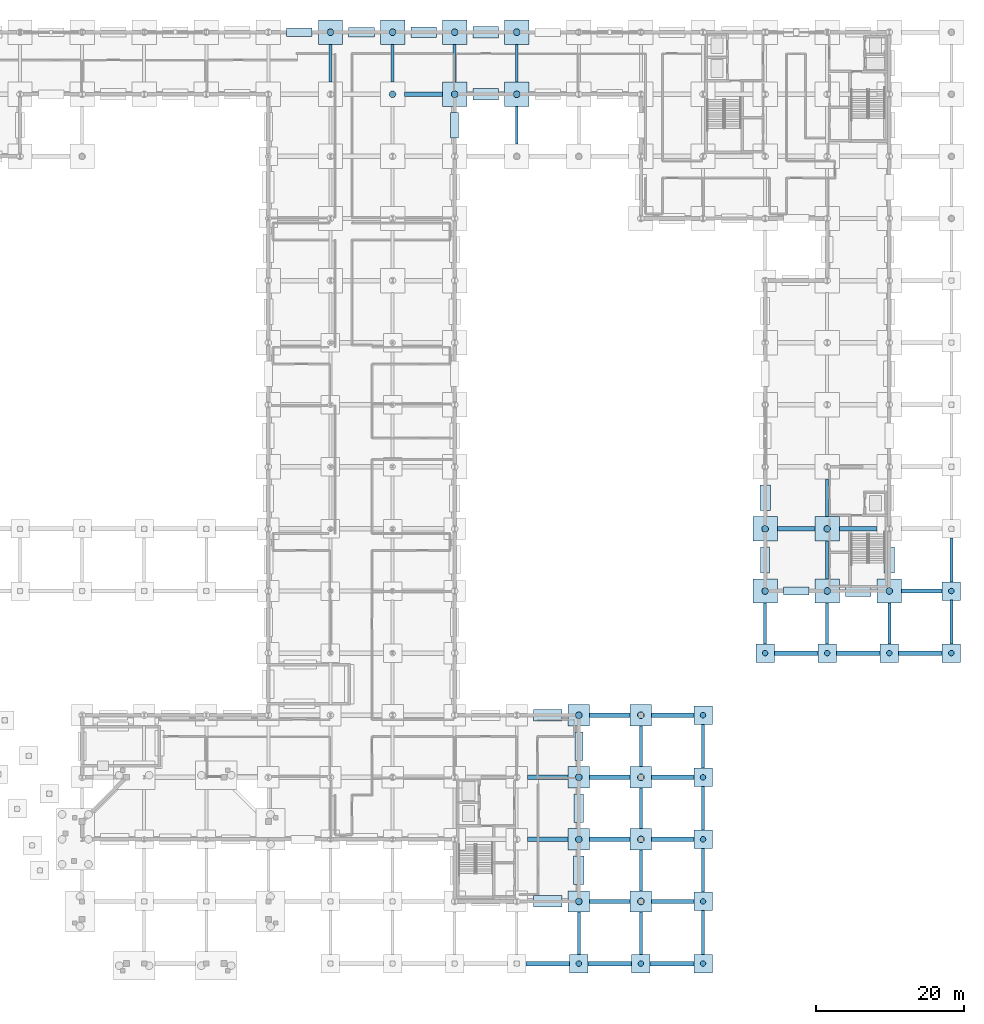
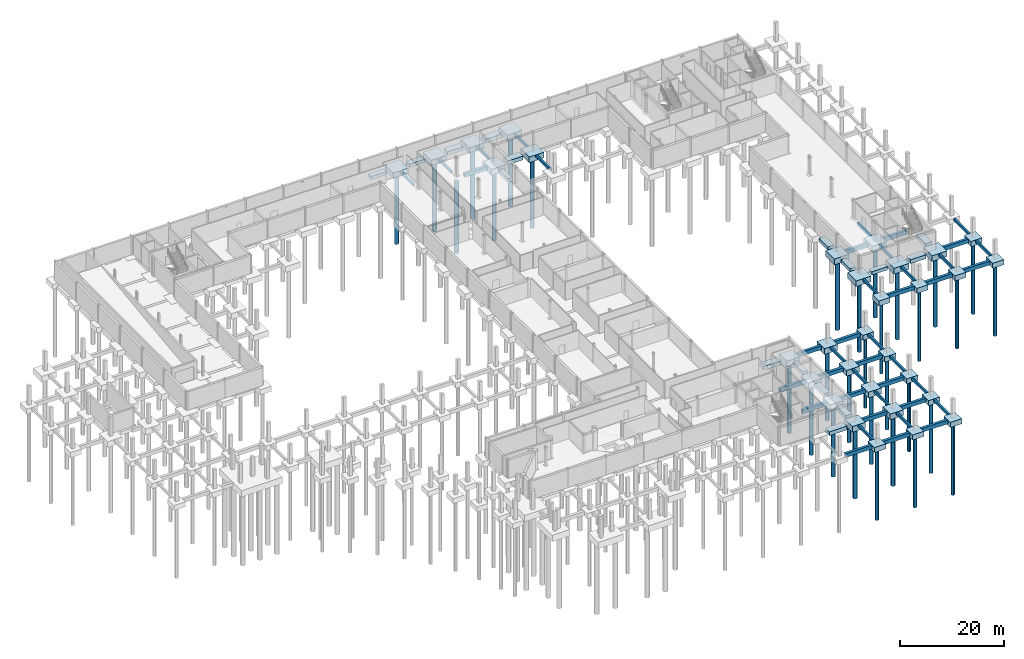
# One storey, part 6 of 43: 88 footings, 32 piles.
"""IFC4 building model written with IfcOpenShell, lengths in metres."""

from ifc_helpers import new_model, si_unit, direction, frame, origin, origin_2d, place, context, subcontext, project, spatial, rectangle, circle, extrude, material, layer, layer_set, material_profile, profile_set, type_object, element, save


model = new_model("IFC4")

# Units and contexts
model_context = context("Model", 3, precision=1e-05, world=origin(), true_north=direction((0.0, 1.0)))
body_context = subcontext(model_context, "Body", "Model", "MODEL_VIEW")
ifc_project = project(units=[si_unit("LENGTHUNIT", "METRE"), si_unit("AREAUNIT", "SQUARE_METRE"), si_unit("VOLUMEUNIT", "CUBIC_METRE"), si_unit("PLANEANGLEUNIT", "RADIAN"), si_unit("MASSUNIT", "GRAM", prefix="KILO")], contexts=[model_context])

# Site, building, storey
site_placement = place(None, origin())
site = spatial("IfcSite", under=ifc_project, at=site_placement, CompositionType="ELEMENT")
building_placement = place(site_placement, origin())
building = spatial("IfcBuilding", under=site, at=building_placement, Name="Mersafa Astral City Hall", CompositionType="ELEMENT")
storey_placement = place(building_placement, frame((0.0, 0.0, -4.5)))
storey = spatial("IfcBuildingStorey", under=building, at=storey_placement, Name="B1", CompositionType="ELEMENT", Elevation=-4.5)

# Footings
ifc_material = material(Name="Concrete C40/50", Category="concrete")
ifc_layer_1 = layer(ifc_material, 1.199951171875, Name="Concrete C40/50")
ifc_layer_set_1 = layer_set([ifc_layer_1], Name="Concrete C40/50 — STR-FTG-PC-2-250X250X1200")
footing_type_1 = type_object("IfcFootingType", Name="STR-FTG-PC-2-250X250X1200", PredefinedType="PILE_CAP", material=ifc_layer_set_1)
for number, where, z_axis, x_axis, name in (
    (1, (134.39990234375, 0.0, -1.2001953125), (0.0, 0.0, 1.0), (1.0, 0.0, 0.0), "Reinforced concrete pile cap 7"),
    (2, (142.800048828125, 0.0, -1.2001953125), (0.0, 0.0, 1.0), (1.0, 0.0, 0.0), "Reinforced concrete pile cap 8"),
    (3, (151.199951171875, 0.0, -1.2001953125), (0.0, 0.0, 1.0), (1.0, 0.0, 0.0), "Reinforced concrete pile cap 9"),
    (4, (151.199951171875, 8.39990234375, -1.2001953125), (0.0, 0.0, 1.0), (1.0, 0.0, 0.0), "Reinforced concrete pile cap 20"),
    (5, (151.199951171875, 16.800048828125, -1.2001953125), (0.0, 0.0, 1.0), (1.0, 0.0, 0.0), "Reinforced concrete pile cap 33"),
    (6, (151.199951171875, 25.199951171875, -1.2001953125), (0.0, 0.0, 1.0), (1.0, 0.0, 0.0), "Reinforced concrete pile cap 46"),
    (7, (151.199951171875, 33.60009765625, -1.2001953125), (0.0, 0.0, 1.0), (1.0, 0.0, 0.0), "Reinforced concrete pile cap 61"),
    (8, (159.60009765625, 42.0, -1.2001953125), (0.0, 0.0, 1.0), (1.0, 0.0, 0.0), "Reinforced concrete pile cap 71"),
    (9, (168.0, 42.0, -1.2001953125), (0.0, 0.0, 1.0), (1.0, 0.0, 0.0), "Reinforced concrete pile cap 72"),
    (10, (176.39990234375, 42.0, -1.2001953125), (0.0, 0.0, 1.0), (1.0, 0.0, 0.0), "Reinforced concrete pile cap 73"),
    (11, (184.800048828125, 42.0, -1.2001953125), (0.0, 0.0, 1.0), (1.0, 0.0, 0.0), "Reinforced concrete pile cap 74"),
    (12, (184.800048828125, 50.39990234375, -1.2001953125), (0.0, 0.0, 1.0), (1.0, 0.0, 0.0), "Reinforced concrete pile cap 94"),
):
    element("IfcFooting", number, at=place(storey_placement, frame(where, z_axis=z_axis, x_axis=x_axis)), inside=storey, type_object=footing_type_1, Name=name, PredefinedType="PILE_CAP", context=body_context, shape_type="SweptSolid", body=[
        extrude(rectangle(XDim=2.5, YDim=2.5, at=origin_2d()), origin(), (0.0, 0.0, 1.0), 1.199951171875),
    ])
ifc_layer_2 = layer(ifc_material, 1.35009765625, Name="Concrete C40/50")
ifc_layer_set_2 = layer_set([ifc_layer_2], Name="Concrete C40/50 — STR-FTG-PC-3-290X290X1350")
footing_type_2 = type_object("IfcFootingType", Name="STR-FTG-PC-3-290X290X1350", PredefinedType="PILE_CAP", material=ifc_layer_set_2)
for number, where, z_axis, x_axis, name in (
    (13, (134.39990234375, 8.39990234375, -1.35009765625), (0.0, 0.0, 1.0), (1.0, 0.0, 0.0), "Reinforced concrete pile cap 14"),
    (14, (142.800048828125, 8.39990234375, -1.35009765625), (0.0, 0.0, 1.0), (1.0, 0.0, 0.0), "Reinforced concrete pile cap 15"),
    (15, (134.39990234375, 16.800048828125, -1.35009765625), (0.0, 0.0, 1.0), (1.0, 0.0, 0.0), "Reinforced concrete pile cap 27"),
    (16, (142.800048828125, 16.800048828125, -1.35009765625), (0.0, 0.0, 1.0), (1.0, 0.0, 0.0), "Reinforced concrete pile cap 28"),
    (17, (134.39990234375, 25.199951171875, -1.35009765625), (0.0, 0.0, 1.0), (1.0, 0.0, 0.0), "Reinforced concrete pile cap 44"),
    (18, (142.800048828125, 25.199951171875, -1.35009765625), (0.0, 0.0, 1.0), (1.0, 0.0, 0.0), "Reinforced concrete pile cap 45"),
    (19, (134.39990234375, 33.60009765625, -1.35009765625), (0.0, 0.0, 1.0), (1.0, 0.0, 0.0), "Reinforced concrete pile cap 59"),
    (20, (142.800048828125, 33.60009765625, -1.35009765625), (0.0, 0.0, 1.0), (1.0, 0.0, 0.0), "Reinforced concrete pile cap 60"),
):
    element("IfcFooting", number, at=place(storey_placement, frame(where, z_axis=z_axis, x_axis=x_axis)), inside=storey, type_object=footing_type_2, Name=name, PredefinedType="PILE_CAP", context=body_context, shape_type="SweptSolid", body=[
        extrude(rectangle(XDim=2.89990234375, YDim=2.89990234375, at=origin_2d()), origin(), (0.0, 0.0, 1.0), 1.35009765625),
    ])
ifc_layer_3 = layer(ifc_material, 1.35009765625, Name="Concrete C40/50")
ifc_layer_set_3 = layer_set([ifc_layer_3], Name="Concrete C40/50 — STR-FTG-PC-7-330X330X1350")
footing_type_3 = type_object("IfcFootingType", Name="STR-FTG-PC-7-330X330X1350", PredefinedType="PILE_CAP", material=ifc_layer_set_3)
for number, where, z_axis, x_axis, name in (
    (21, (159.60009765625, 50.39990234375, -1.35009765625), (0.0, 0.0, 1.0), (1.0, 0.0, 0.0), "Reinforced concrete pile cap 79"),
    (22, (168.0, 50.39990234375, -1.35009765625), (0.0, 0.0, 1.0), (1.0, 0.0, 0.0), "Reinforced concrete pile cap 80"),
    (23, (176.39990234375, 50.39990234375, -1.35009765625), (0.0, 0.0, 1.0), (1.0, 0.0, 0.0), "Reinforced concrete pile cap 81"),
    (24, (159.60009765625, 58.800048828125, -1.35009765625), (0.0, 0.0, 1.0), (1.0, 0.0, 0.0), "Reinforced concrete pile cap 95"),
    (25, (168.0, 58.800048828125, -1.35009765625), (0.0, 0.0, 1.0), (1.0, 0.0, 0.0), "Reinforced concrete pile cap 96"),
    (26, (117.60009765625, 117.60009765625, -1.35009765625), (0.0, 0.0, 1.0), (1.0, 0.0, 0.0), "Reinforced concrete pile cap 210"),
    (27, (126.0, 117.60009765625, -1.35009765625), (0.0, 0.0, 1.0), (1.0, 0.0, 0.0), "Reinforced concrete pile cap 211"),
    (28, (100.800048828125, 126.0, -1.35009765625), (0.0, 0.0, 1.0), (1.0, 0.0, 0.0), "Reinforced concrete pile cap 228"),
    (29, (109.199951171875, 126.0, -1.35009765625), (0.0, 0.0, 1.0), (1.0, 0.0, 0.0), "Reinforced concrete pile cap 229"),
    (30, (117.60009765625, 126.0, -1.35009765625), (0.0, 0.0, 1.0), (1.0, 0.0, 0.0), "Reinforced concrete pile cap 230"),
    (31, (126.0, 126.0, -1.35009765625), (0.0, 0.0, 1.0), (1.0, 0.0, 0.0), "Reinforced concrete pile cap 231"),
):
    element("IfcFooting", number, at=place(storey_placement, frame(where, z_axis=z_axis, x_axis=x_axis)), inside=storey, type_object=footing_type_3, Name=name, PredefinedType="PILE_CAP", context=body_context, shape_type="SweptSolid", body=[
        extrude(rectangle(XDim=3.300048828125, YDim=3.300048828125, at=origin_2d()), origin(), (0.0, 0.0, 1.0), 1.35009765625),
    ])
ifc_layer_4 = layer(ifc_material, 0.75, Name="Concrete C40/50")
ifc_layer_set_4 = layer_set([ifc_layer_4], Name="Concrete C40/50 — STR-FTG-STRIP-1")
footing_type_4 = type_object("IfcFootingType", Name="STR-FTG-STRIP-1", PredefinedType="STRIP_FOOTING", material=ifc_layer_set_4)
for number, where, z_axis, x_axis, name in (
    (32, (96.60009765625, 126.0, -0.75), (0.0, 0.0, 1.0), (1.0, 0.0, 0.0), "Retaining wall strip footing 40"),
    (33, (163.800048828125, 50.39990234375, -0.75), (0.0, 0.0, 1.0), (-1.0, 0.0, 0.0), "Retaining wall strip footing 60"),
    (34, (117.60009765625, 113.39990234375, -0.75), (0.0, 0.0, 1.0), (0.0, -1.0, 0.0), "Retaining wall strip footing 76"),
):
    element("IfcFooting", number, at=place(storey_placement, frame(where, z_axis=z_axis, x_axis=x_axis)), inside=storey, type_object=footing_type_4, Name=name, PredefinedType="STRIP_FOOTING", context=body_context, shape_type="SweptSolid", body=[
        extrude(rectangle(XDim=3.4599609375, YDim=1.10009765625, at=origin_2d()), origin(), (0.0, 0.0, 1.0), 0.75),
    ])
footing_1_placement = place(storey_placement, frame((134.39990234375, 29.39990234375, -0.75), z_axis=(0.0, 0.0, 1.0), x_axis=(0.0, -1.0, 0.0)))
element("IfcFooting", 35, at=footing_1_placement, inside=storey, type_object=footing_type_4, Name="Retaining wall strip footing 88", PredefinedType="STRIP_FOOTING", context=body_context, shape_type="SweptSolid", body=[
    extrude(rectangle(XDim=3.860107421875, YDim=1.10009765625, at=origin_2d()), origin(), (0.0, 0.0, 1.0), 0.75),
])
ifc_layer_5 = layer(ifc_material, 0.800048828125, Name="Concrete C40/50")
ifc_layer_set_5 = layer_set([ifc_layer_5], Name="Concrete C40/50 — STR-FTG-STRIP-2")
footing_type_5 = type_object("IfcFootingType", Name="STR-FTG-STRIP-2", PredefinedType="STRIP_FOOTING", material=ifc_layer_set_5)
for number, where, z_axis, x_axis, name in (
    (36, (105.0, 126.0, -0.7998046875), (0.0, 0.0, 1.0), (1.0, 0.0, 0.0), "Retaining wall strip footing 41"),
    (37, (159.60009765625, 54.60009765625, -0.7998046875), (0.0, 0.0, 1.0), (0.0, 1.0, 0.0), "Retaining wall strip footing 61"),
):
    element("IfcFooting", number, at=place(storey_placement, frame(where, z_axis=z_axis, x_axis=x_axis)), inside=storey, type_object=footing_type_5, Name=name, PredefinedType="STRIP_FOOTING", context=body_context, shape_type="SweptSolid", body=[
        extrude(rectangle(XDim=3.4599609375, YDim=1.25, at=origin_2d()), origin(), (0.0, 0.0, 1.0), 0.800048828125),
    ])
footing_2_placement = place(storey_placement, frame((134.39990234375, 21.0, -0.7998046875), z_axis=(0.0, 0.0, 1.0), x_axis=(0.0, -1.0, 0.0)))
element("IfcFooting", 38, at=footing_2_placement, inside=storey, type_object=footing_type_5, Name="Retaining wall strip footing 89", PredefinedType="STRIP_FOOTING", context=body_context, shape_type="SweptSolid", body=[
    extrude(rectangle(XDim=3.860107421875, YDim=1.25, at=origin_2d()), origin(), (0.0, 0.0, 1.0), 0.800048828125),
])
ifc_layer_6 = layer(ifc_material, 0.85009765625, Name="Concrete C40/50")
ifc_layer_set_6 = layer_set([ifc_layer_6], Name="Concrete C40/50 — STR-FTG-STRIP-3")
footing_type_6 = type_object("IfcFootingType", Name="STR-FTG-STRIP-3", PredefinedType="STRIP_FOOTING", material=ifc_layer_set_6)
for number, where, z_axis, x_axis, name in (
    (39, (113.39990234375, 126.0, -0.85009765625), (0.0, 0.0, 1.0), (1.0, 0.0, 0.0), "Retaining wall strip footing 42"),
    (40, (176.39990234375, 54.60009765625, -0.85009765625), (0.0, 0.0, 1.0), (0.0, -1.0, 0.0), "Retaining wall strip footing 58"),
    (41, (159.60009765625, 63.0, -0.85009765625), (0.0, 0.0, 1.0), (0.0, 1.0, 0.0), "Retaining wall strip footing 62"),
):
    element("IfcFooting", number, at=place(storey_placement, frame(where, z_axis=z_axis, x_axis=x_axis)), inside=storey, type_object=footing_type_6, Name=name, PredefinedType="STRIP_FOOTING", context=body_context, shape_type="SweptSolid", body=[
        extrude(rectangle(XDim=3.4599609375, YDim=1.39990234375, at=origin_2d()), origin(), (0.0, 0.0, 1.0), 0.85009765625),
    ])
footing_3_placement = place(storey_placement, frame((134.39990234375, 12.60009765625, -0.85009765625), z_axis=(0.0, 0.0, 1.0), x_axis=(0.0, -1.0, 0.0)))
element("IfcFooting", 42, at=footing_3_placement, inside=storey, type_object=footing_type_6, Name="Retaining wall strip footing 90", PredefinedType="STRIP_FOOTING", context=body_context, shape_type="SweptSolid", body=[
    extrude(rectangle(XDim=3.860107421875, YDim=1.39990234375, at=origin_2d()), origin(), (0.0, 0.0, 1.0), 0.85009765625),
])
ifc_layer_7 = layer(ifc_material, 0.89990234375, Name="Concrete C40/50")
ifc_layer_set_7 = layer_set([ifc_layer_7], Name="Concrete C40/50 — STR-FTG-STRIP-4")
footing_type_7 = type_object("IfcFootingType", Name="STR-FTG-STRIP-4", PredefinedType="STRIP_FOOTING", material=ifc_layer_set_7)
for number, where, z_axis, x_axis, name in (
    (43, (121.800048828125, 126.0, -0.89990234375), (0.0, 0.0, 1.0), (1.0, 0.0, 0.0), "Retaining wall strip footing 43"),
    (44, (172.199951171875, 50.39990234375, -0.89990234375), (0.0, 0.0, 1.0), (-1.0, 0.0, 0.0), "Retaining wall strip footing 59"),
    (45, (121.800048828125, 117.60009765625, -0.89990234375), (0.0, 0.0, 1.0), (-1.0, 0.0, 0.0), "Retaining wall strip footing 75"),
):
    element("IfcFooting", number, at=place(storey_placement, frame(where, z_axis=z_axis, x_axis=x_axis)), inside=storey, type_object=footing_type_7, Name=name, PredefinedType="STRIP_FOOTING", context=body_context, shape_type="SweptSolid", body=[
        extrude(rectangle(XDim=3.4599609375, YDim=1.550048828125, at=origin_2d()), origin(), (0.0, 0.0, 1.0), 0.89990234375),
    ])
for number, where, z_axis, x_axis, name in (
    (46, (130.199951171875, 33.60009765625, -0.89990234375), (0.0, 0.0, 1.0), (1.0, 0.0, 0.0), "Retaining wall strip footing 87"),
    (47, (130.199951171875, 8.39990234375, -0.89990234375), (0.0, 0.0, 1.0), (-1.0, 0.0, 0.0), "Retaining wall strip footing 91"),
):
    element("IfcFooting", number, at=place(storey_placement, frame(where, z_axis=z_axis, x_axis=x_axis)), inside=storey, type_object=footing_type_7, Name=name, PredefinedType="STRIP_FOOTING", context=body_context, shape_type="SweptSolid", body=[
        extrude(rectangle(XDim=3.860107421875, YDim=1.550048828125, at=origin_2d()), origin(), (0.0, 0.0, 1.0), 0.89990234375),
    ])
ifc_material_profile_1 = material_profile(ifc_material, rectangle(XDim=0.39990234375, YDim=0.60009765625, at=origin_2d()), Name="RC 400x600")
ifc_profile_set_1 = profile_set([ifc_material_profile_1], Name="Concrete C40/50")
footing_type_8 = type_object("IfcFootingType", Name="STR-FTG-TIE-400X600", PredefinedType="FOOTING_BEAM", material=ifc_profile_set_1)
for number, where, z_axis, x_axis, name in (
    (48, (100.800048828125, 119.248046875, -0.300048828125), (0.0, 1.0, 0.0), (-1.0, 0.0, 0.0), "Reinforced concrete ground tie beam 151"),
    (49, (109.199951171875, 119.248046875, -0.300048828125), (0.0, 1.0, 0.0), (-1.0, 0.0, 0.0), "Reinforced concrete ground tie beam 180"),
    (50, (117.60009765625, 119.248046875, -0.300048828125), (0.0, 1.0, 0.0), (-1.0, 0.0, 0.0), "Reinforced concrete ground tie beam 188"),
    (51, (126.0, 110.847900390625, -0.300048828125), (0.0, 1.0, 0.0), (-1.0, 0.0, 0.0), "Reinforced concrete ground tie beam 197"),
    (52, (126.0, 119.248046875, -0.300048828125), (0.0, 1.0, 0.0), (-1.0, 0.0, 0.0), "Reinforced concrete ground tie beam 198"),
):
    element("IfcFooting", number, at=place(storey_placement, frame(where, z_axis=z_axis, x_axis=x_axis)), inside=storey, type_object=footing_type_8, Name=name, PredefinedType="FOOTING_BEAM", context=body_context, shape_type="SweptSolid", body=[
        extrude(rectangle(XDim=0.39990234375, YDim=0.60009765625, at=origin_2d()), origin(), (0.0, 0.0, 1.0), 5.10400390625),
    ])
for number, where, z_axis, x_axis, name in (
    (53, (134.39990234375, 1.248046875, -0.300048828125), (0.0, 1.0, 0.0), (-1.0, 0.0, 0.0), "Reinforced concrete ground tie beam 200"),
    (54, (142.800048828125, 1.248046875, -0.300048828125), (0.0, 1.0, 0.0), (-1.0, 0.0, 0.0), "Reinforced concrete ground tie beam 209"),
):
    element("IfcFooting", number, at=place(storey_placement, frame(where, z_axis=z_axis, x_axis=x_axis)), inside=storey, type_object=footing_type_8, Name=name, PredefinedType="FOOTING_BEAM", context=body_context, shape_type="SweptSolid", body=[
        extrude(rectangle(XDim=0.39990234375, YDim=0.60009765625, at=origin_2d()), origin(), (0.0, 0.0, 1.0), 5.703857421875),
    ])
footing_4_placement = place(storey_placement, frame((142.800048828125, 9.847900390625, -0.300048828125), z_axis=(0.0, 1.0, 0.0), x_axis=(-1.0, 0.0, 0.0)))
element("IfcFooting", 55, at=footing_4_placement, inside=storey, type_object=footing_type_8, Name="Reinforced concrete ground tie beam 211", PredefinedType="FOOTING_BEAM", context=body_context, shape_type="SweptSolid", body=[
    extrude(rectangle(XDim=0.39990234375, YDim=0.60009765625, at=origin_2d()), origin(), (0.0, 0.0, 1.0), 5.504150390625),
])
footing_5_placement = place(storey_placement, frame((142.800048828125, 18.248046875, -0.300048828125), z_axis=(0.0, 1.0, 0.0), x_axis=(-1.0, 0.0, 0.0)))
element("IfcFooting", 56, at=footing_5_placement, inside=storey, type_object=footing_type_8, Name="Reinforced concrete ground tie beam 213", PredefinedType="FOOTING_BEAM", context=body_context, shape_type="SweptSolid", body=[
    extrude(rectangle(XDim=0.39990234375, YDim=0.60009765625, at=origin_2d()), origin(), (0.0, 0.0, 1.0), 5.50390625),
])
footing_6_placement = place(storey_placement, frame((142.800048828125, 26.64794921875, -0.300048828125), z_axis=(0.0, 1.0, 0.0), x_axis=(-1.0, 0.0, 0.0)))
element("IfcFooting", 57, at=footing_6_placement, inside=storey, type_object=footing_type_8, Name="Reinforced concrete ground tie beam 215", PredefinedType="FOOTING_BEAM", context=body_context, shape_type="SweptSolid", body=[
    extrude(rectangle(XDim=0.39990234375, YDim=0.60009765625, at=origin_2d()), origin(), (0.0, 0.0, 1.0), 5.504150390625),
])
for number, where, z_axis, x_axis, name in (
    (58, (151.199951171875, 1.248046875, -0.300048828125), (0.0, 1.0, 0.0), (-1.0, 0.0, 0.0), "Reinforced concrete ground tie beam 220"),
    (59, (151.199951171875, 9.64794921875, -0.300048828125), (0.0, 1.0, 0.0), (-1.0, 0.0, 0.0), "Reinforced concrete ground tie beam 221"),
):
    element("IfcFooting", number, at=place(storey_placement, frame(where, z_axis=z_axis, x_axis=x_axis)), inside=storey, type_object=footing_type_8, Name=name, PredefinedType="FOOTING_BEAM", context=body_context, shape_type="SweptSolid", body=[
        extrude(rectangle(XDim=0.39990234375, YDim=0.60009765625, at=origin_2d()), origin(), (0.0, 0.0, 1.0), 5.904052734375),
    ])
footing_7_placement = place(storey_placement, frame((151.199951171875, 18.048095703125, -0.300048828125), z_axis=(0.0, 1.0, 0.0), x_axis=(-1.0, 0.0, 0.0)))
element("IfcFooting", 60, at=footing_7_placement, inside=storey, type_object=footing_type_8, Name="Reinforced concrete ground tie beam 222", PredefinedType="FOOTING_BEAM", context=body_context, shape_type="SweptSolid", body=[
    extrude(rectangle(XDim=0.39990234375, YDim=0.60009765625, at=origin_2d()), origin(), (0.0, 0.0, 1.0), 5.90380859375),
])
footing_8_placement = place(storey_placement, frame((151.199951171875, 26.447998046875, -0.300048828125), z_axis=(0.0, 1.0, 0.0), x_axis=(-1.0, 0.0, 0.0)))
element("IfcFooting", 61, at=footing_8_placement, inside=storey, type_object=footing_type_8, Name="Reinforced concrete ground tie beam 223", PredefinedType="FOOTING_BEAM", context=body_context, shape_type="SweptSolid", body=[
    extrude(rectangle(XDim=0.39990234375, YDim=0.60009765625, at=origin_2d()), origin(), (0.0, 0.0, 1.0), 5.904052734375),
])
for number, where, z_axis, x_axis, name in (
    (62, (159.60009765625, 43.248046875, -0.300048828125), (0.0, 1.0, 0.0), (-1.0, 0.0, 0.0), "Reinforced concrete ground tie beam 230"),
    (63, (168.0, 43.248046875, -0.300048828125), (0.0, 1.0, 0.0), (-1.0, 0.0, 0.0), "Reinforced concrete ground tie beam 242"),
):
    element("IfcFooting", number, at=place(storey_placement, frame(where, z_axis=z_axis, x_axis=x_axis)), inside=storey, type_object=footing_type_8, Name=name, PredefinedType="FOOTING_BEAM", context=body_context, shape_type="SweptSolid", body=[
        extrude(rectangle(XDim=0.39990234375, YDim=0.60009765625, at=origin_2d()), origin(), (0.0, 0.0, 1.0), 5.50390625),
    ])
for number, where, z_axis, x_axis, name in (
    (64, (168.0, 52.048095703125, -0.300048828125), (0.0, 1.0, 0.0), (-1.0, 0.0, 0.0), "Reinforced concrete ground tie beam 243"),
    (65, (168.0, 60.447998046875, -0.300048828125), (0.0, 1.0, 0.0), (-1.0, 0.0, 0.0), "Reinforced concrete ground tie beam 245"),
):
    element("IfcFooting", number, at=place(storey_placement, frame(where, z_axis=z_axis, x_axis=x_axis)), inside=storey, type_object=footing_type_8, Name=name, PredefinedType="FOOTING_BEAM", context=body_context, shape_type="SweptSolid", body=[
        extrude(rectangle(XDim=0.39990234375, YDim=0.60009765625, at=origin_2d()), origin(), (0.0, 0.0, 1.0), 5.10400390625),
    ])
footing_9_placement = place(storey_placement, frame((176.39990234375, 43.248046875, -0.300048828125), z_axis=(0.0, 1.0, 0.0), x_axis=(-1.0, 0.0, 0.0)))
element("IfcFooting", 66, at=footing_9_placement, inside=storey, type_object=footing_type_8, Name="Reinforced concrete ground tie beam 260", PredefinedType="FOOTING_BEAM", context=body_context, shape_type="SweptSolid", body=[
    extrude(rectangle(XDim=0.39990234375, YDim=0.60009765625, at=origin_2d()), origin(), (0.0, 0.0, 1.0), 5.50390625),
])
for number, where, z_axis, x_axis, name in (
    (67, (184.800048828125, 43.248046875, -0.300048828125), (0.0, 1.0, 0.0), (-1.0, 0.0, 0.0), "Reinforced concrete ground tie beam 271"),
    (68, (184.800048828125, 51.64794921875, -0.300048828125), (0.0, 1.0, 0.0), (-1.0, 0.0, 0.0), "Reinforced concrete ground tie beam 272"),
):
    element("IfcFooting", number, at=place(storey_placement, frame(where, z_axis=z_axis, x_axis=x_axis)), inside=storey, type_object=footing_type_8, Name=name, PredefinedType="FOOTING_BEAM", context=body_context, shape_type="SweptSolid", body=[
        extrude(rectangle(XDim=0.39990234375, YDim=0.60009765625, at=origin_2d()), origin(), (0.0, 0.0, 1.0), 5.904052734375),
    ])
ifc_material_profile_2 = material_profile(ifc_material, rectangle(XDim=0.60009765625, YDim=0.89990234375, at=origin_2d()), Name="RC 600x900")
ifc_profile_set_2 = profile_set([ifc_material_profile_2], Name="Concrete C40/50")
footing_type_9 = type_object("IfcFootingType", Name="STR-FTG-TIE-600X900", PredefinedType="FOOTING_BEAM", material=ifc_profile_set_2)
footing_10_placement = place(storey_placement, frame((110.847900390625, 117.60009765625, -0.449951171875), z_axis=(1.0, 0.0, 0.0), x_axis=(0.0, 1.0, 0.0)))
element("IfcFooting", 69, at=footing_10_placement, inside=storey, type_object=footing_type_9, Name="Reinforced concrete ground tie beam 179", PredefinedType="FOOTING_BEAM", context=body_context, shape_type="SweptSolid", body=[
    extrude(rectangle(XDim=0.60009765625, YDim=0.89990234375, at=origin_2d()), origin(), (0.0, 0.0, 1.0), 5.10400390625),
])
footing_11_placement = place(storey_placement, frame((127.248046875, 0.0, -0.449951171875), z_axis=(1.0, 0.0, 0.0), x_axis=(0.0, 1.0, 0.0)))
element("IfcFooting", 70, at=footing_11_placement, inside=storey, type_object=footing_type_9, Name="Reinforced concrete ground tie beam 189", PredefinedType="FOOTING_BEAM", context=body_context, shape_type="SweptSolid", body=[
    extrude(rectangle(XDim=0.60009765625, YDim=0.89990234375, at=origin_2d()), origin(), (0.0, 0.0, 1.0), 5.904052734375),
])
for number, where, z_axis, x_axis, name in (
    (71, (127.447998046875, 16.800048828125, -0.449951171875), (1.0, 0.0, 0.0), (0.0, 1.0, 0.0), "Reinforced concrete ground tie beam 192"),
    (72, (127.447998046875, 25.199951171875, -0.449951171875), (1.0, 0.0, 0.0), (0.0, 1.0, 0.0), "Reinforced concrete ground tie beam 194"),
):
    element("IfcFooting", number, at=place(storey_placement, frame(where, z_axis=z_axis, x_axis=x_axis)), inside=storey, type_object=footing_type_9, Name=name, PredefinedType="FOOTING_BEAM", context=body_context, shape_type="SweptSolid", body=[
        extrude(rectangle(XDim=0.60009765625, YDim=0.89990234375, at=origin_2d()), origin(), (0.0, 0.0, 1.0), 5.50390625),
    ])
footing_12_placement = place(storey_placement, frame((135.64794921875, 0.0, -0.449951171875), z_axis=(1.0, 0.0, 0.0), x_axis=(0.0, 1.0, 0.0)))
element("IfcFooting", 73, at=footing_12_placement, inside=storey, type_object=footing_type_9, Name="Reinforced concrete ground tie beam 199", PredefinedType="FOOTING_BEAM", context=body_context, shape_type="SweptSolid", body=[
    extrude(rectangle(XDim=0.60009765625, YDim=0.89990234375, at=origin_2d()), origin(), (0.0, 0.0, 1.0), 5.904052734375),
])
for number, where, z_axis, x_axis, name in (
    (74, (135.847900390625, 8.39990234375, -0.449951171875), (1.0, 0.0, 0.0), (0.0, 1.0, 0.0), "Reinforced concrete ground tie beam 201"),
    (75, (135.847900390625, 16.800048828125, -0.449951171875), (1.0, 0.0, 0.0), (0.0, 1.0, 0.0), "Reinforced concrete ground tie beam 202"),
    (76, (135.847900390625, 25.199951171875, -0.449951171875), (1.0, 0.0, 0.0), (0.0, 1.0, 0.0), "Reinforced concrete ground tie beam 203"),
    (77, (135.847900390625, 33.60009765625, -0.449951171875), (1.0, 0.0, 0.0), (0.0, 1.0, 0.0), "Reinforced concrete ground tie beam 204"),
):
    element("IfcFooting", number, at=place(storey_placement, frame(where, z_axis=z_axis, x_axis=x_axis)), inside=storey, type_object=footing_type_9, Name=name, PredefinedType="FOOTING_BEAM", context=body_context, shape_type="SweptSolid", body=[
        extrude(rectangle(XDim=0.60009765625, YDim=0.89990234375, at=origin_2d()), origin(), (0.0, 0.0, 1.0), 5.504150390625),
    ])
footing_13_placement = place(storey_placement, frame((144.048095703125, 0.0, -0.449951171875), z_axis=(1.0, 0.0, 0.0), x_axis=(0.0, 1.0, 0.0)))
element("IfcFooting", 78, at=footing_13_placement, inside=storey, type_object=footing_type_9, Name="Reinforced concrete ground tie beam 208", PredefinedType="FOOTING_BEAM", context=body_context, shape_type="SweptSolid", body=[
    extrude(rectangle(XDim=0.60009765625, YDim=0.89990234375, at=origin_2d()), origin(), (0.0, 0.0, 1.0), 5.90380859375),
])
for number, where, z_axis, x_axis, name in (
    (79, (144.248046875, 8.39990234375, -0.449951171875), (1.0, 0.0, 0.0), (0.0, 1.0, 0.0), "Reinforced concrete ground tie beam 210"),
    (80, (144.248046875, 16.800048828125, -0.449951171875), (1.0, 0.0, 0.0), (0.0, 1.0, 0.0), "Reinforced concrete ground tie beam 212"),
    (81, (144.248046875, 25.199951171875, -0.449951171875), (1.0, 0.0, 0.0), (0.0, 1.0, 0.0), "Reinforced concrete ground tie beam 214"),
    (82, (144.248046875, 33.60009765625, -0.449951171875), (1.0, 0.0, 0.0), (0.0, 1.0, 0.0), "Reinforced concrete ground tie beam 216"),
):
    element("IfcFooting", number, at=place(storey_placement, frame(where, z_axis=z_axis, x_axis=x_axis)), inside=storey, type_object=footing_type_9, Name=name, PredefinedType="FOOTING_BEAM", context=body_context, shape_type="SweptSolid", body=[
        extrude(rectangle(XDim=0.60009765625, YDim=0.89990234375, at=origin_2d()), origin(), (0.0, 0.0, 1.0), 5.703857421875),
    ])
footing_14_placement = place(storey_placement, frame((160.847900390625, 42.0, -0.449951171875), z_axis=(1.0, 0.0, 0.0), x_axis=(0.0, 1.0, 0.0)))
element("IfcFooting", 83, at=footing_14_placement, inside=storey, type_object=footing_type_9, Name="Reinforced concrete ground tie beam 229", PredefinedType="FOOTING_BEAM", context=body_context, shape_type="SweptSolid", body=[
    extrude(rectangle(XDim=0.60009765625, YDim=0.89990234375, at=origin_2d()), origin(), (0.0, 0.0, 1.0), 5.904052734375),
])
footing_15_placement = place(storey_placement, frame((161.248046875, 58.800048828125, -0.449951171875), z_axis=(1.0, 0.0, 0.0), x_axis=(0.0, 1.0, 0.0)))
element("IfcFooting", 84, at=footing_15_placement, inside=storey, type_object=footing_type_9, Name="Reinforced concrete ground tie beam 231", PredefinedType="FOOTING_BEAM", context=body_context, shape_type="SweptSolid", body=[
    extrude(rectangle(XDim=0.60009765625, YDim=0.89990234375, at=origin_2d()), origin(), (0.0, 0.0, 1.0), 5.10400390625),
])
footing_16_placement = place(storey_placement, frame((169.248046875, 42.0, -0.449951171875), z_axis=(1.0, 0.0, 0.0), x_axis=(0.0, 1.0, 0.0)))
element("IfcFooting", 85, at=footing_16_placement, inside=storey, type_object=footing_type_9, Name="Reinforced concrete ground tie beam 241", PredefinedType="FOOTING_BEAM", context=body_context, shape_type="SweptSolid", body=[
    extrude(rectangle(XDim=0.60009765625, YDim=0.89990234375, at=origin_2d()), origin(), (0.0, 0.0, 1.0), 5.904052734375),
])
footing_17_placement = place(storey_placement, frame((169.64794921875, 58.800048828125, -0.449951171875), z_axis=(1.0, 0.0, 0.0), x_axis=(0.0, 1.0, 0.0)))
element("IfcFooting", 86, at=footing_17_placement, inside=storey, type_object=footing_type_9, Name="Reinforced concrete ground tie beam 244", PredefinedType="FOOTING_BEAM", context=body_context, shape_type="SweptSolid", body=[
    extrude(rectangle(XDim=0.60009765625, YDim=0.89990234375, at=origin_2d()), origin(), (0.0, 0.0, 1.0), 5.10400390625),
])
footing_18_placement = place(storey_placement, frame((177.64794921875, 42.0, -0.449951171875), z_axis=(1.0, 0.0, 0.0), x_axis=(0.0, 1.0, 0.0)))
element("IfcFooting", 87, at=footing_18_placement, inside=storey, type_object=footing_type_9, Name="Reinforced concrete ground tie beam 259", PredefinedType="FOOTING_BEAM", context=body_context, shape_type="SweptSolid", body=[
    extrude(rectangle(XDim=0.60009765625, YDim=0.89990234375, at=origin_2d()), origin(), (0.0, 0.0, 1.0), 5.904052734375),
])
footing_19_placement = place(storey_placement, frame((178.048095703125, 50.39990234375, -0.449951171875), z_axis=(1.0, 0.0, 0.0), x_axis=(0.0, 1.0, 0.0)))
element("IfcFooting", 88, at=footing_19_placement, inside=storey, type_object=footing_type_9, Name="Reinforced concrete ground tie beam 261", PredefinedType="FOOTING_BEAM", context=body_context, shape_type="SweptSolid", body=[
    extrude(rectangle(XDim=0.60009765625, YDim=0.89990234375, at=origin_2d()), origin(), (0.0, 0.0, 1.0), 5.50390625),
])

# Piles
ifc_material_profile_3 = material_profile(ifc_material, circle(Radius=0.375, at=origin_2d()), Name="PILE D750")
ifc_profile_set_3 = profile_set([ifc_material_profile_3], Name="Concrete C40/50")
pile_type_1 = type_object("IfcPileType", Name="STR-PILE-D750", PredefinedType="BORED", material=ifc_profile_set_3)
for number, where, z_axis, x_axis, name in (
    (89, (134.39990234375, 0.0, -1.050048828125), (0.0, 0.0, -1.0), (1.0, 0.0, 0.0), "Bored concrete pile 9"),
    (90, (142.800048828125, 0.0, -1.050048828125), (0.0, 0.0, -1.0), (1.0, 0.0, 0.0), "Bored concrete pile 10"),
    (91, (151.199951171875, 0.0, -1.050048828125), (0.0, 0.0, -1.0), (1.0, 0.0, 0.0), "Bored concrete pile 11"),
    (92, (151.199951171875, 8.39990234375, -1.050048828125), (0.0, 0.0, -1.0), (1.0, 0.0, 0.0), "Bored concrete pile 24"),
    (93, (151.199951171875, 16.800048828125, -1.050048828125), (0.0, 0.0, -1.0), (1.0, 0.0, 0.0), "Bored concrete pile 43"),
    (94, (151.199951171875, 25.199951171875, -1.050048828125), (0.0, 0.0, -1.0), (1.0, 0.0, 0.0), "Bored concrete pile 58"),
    (95, (151.199951171875, 33.60009765625, -1.050048828125), (0.0, 0.0, -1.0), (1.0, 0.0, 0.0), "Bored concrete pile 73"),
    (96, (159.60009765625, 42.0, -1.050048828125), (0.0, 0.0, -1.0), (1.0, 0.0, 0.0), "Bored concrete pile 83"),
    (97, (168.0, 42.0, -1.050048828125), (0.0, 0.0, -1.0), (1.0, 0.0, 0.0), "Bored concrete pile 84"),
    (98, (176.39990234375, 42.0, -1.050048828125), (0.0, 0.0, -1.0), (1.0, 0.0, 0.0), "Bored concrete pile 85"),
    (99, (184.800048828125, 42.0, -1.050048828125), (0.0, 0.0, -1.0), (1.0, 0.0, 0.0), "Bored concrete pile 86"),
    (100, (184.800048828125, 50.39990234375, -1.050048828125), (0.0, 0.0, -1.0), (1.0, 0.0, 0.0), "Bored concrete pile 117"),
):
    element("IfcPile", number, at=place(storey_placement, frame(where, z_axis=z_axis, x_axis=x_axis)), inside=storey, type_object=pile_type_1, Name=name, PredefinedType="BORED", context=body_context, shape_type="SweptSolid", body=[
        extrude(circle(Radius=0.375, at=origin_2d()), origin(), (0.0, 0.0, 1.0), 16.949951171875),
    ])
ifc_material_profile_4 = material_profile(ifc_material, circle(Radius=0.449951171875, at=origin_2d()), Name="PILE D900")
ifc_profile_set_4 = profile_set([ifc_material_profile_4], Name="Concrete C40/50")
pile_type_2 = type_object("IfcPileType", Name="STR-PILE-D900", PredefinedType="BORED", material=ifc_profile_set_4)
for number, where, z_axis, x_axis, name in (
    (101, (134.39990234375, 8.39990234375, -1.199951171875), (0.0, 0.0, -1.0), (1.0, 0.0, 0.0), "Bored concrete pile 18"),
    (102, (142.800048828125, 8.39990234375, -1.199951171875), (0.0, 0.0, -1.0), (1.0, 0.0, 0.0), "Bored concrete pile 19"),
    (103, (134.39990234375, 16.800048828125, -1.199951171875), (0.0, 0.0, -1.0), (1.0, 0.0, 0.0), "Bored concrete pile 37"),
    (104, (142.800048828125, 16.800048828125, -1.199951171875), (0.0, 0.0, -1.0), (1.0, 0.0, 0.0), "Bored concrete pile 38"),
    (105, (134.39990234375, 25.199951171875, -1.199951171875), (0.0, 0.0, -1.0), (1.0, 0.0, 0.0), "Bored concrete pile 56"),
    (106, (142.800048828125, 25.199951171875, -1.199951171875), (0.0, 0.0, -1.0), (1.0, 0.0, 0.0), "Bored concrete pile 57"),
    (107, (134.39990234375, 33.60009765625, -1.199951171875), (0.0, 0.0, -1.0), (1.0, 0.0, 0.0), "Bored concrete pile 71"),
    (108, (142.800048828125, 33.60009765625, -1.199951171875), (0.0, 0.0, -1.0), (1.0, 0.0, 0.0), "Bored concrete pile 72"),
    (109, (159.60009765625, 50.39990234375, -1.199951171875), (0.0, 0.0, -1.0), (1.0, 0.0, 0.0), "Bored concrete pile 102"),
    (110, (168.0, 50.39990234375, -1.199951171875), (0.0, 0.0, -1.0), (1.0, 0.0, 0.0), "Bored concrete pile 103"),
    (111, (176.39990234375, 50.39990234375, -1.199951171875), (0.0, 0.0, -1.0), (1.0, 0.0, 0.0), "Bored concrete pile 104"),
    (112, (159.60009765625, 58.800048828125, -1.199951171875), (0.0, 0.0, -1.0), (1.0, 0.0, 0.0), "Bored concrete pile 118"),
    (113, (168.0, 58.800048828125, -1.199951171875), (0.0, 0.0, -1.0), (1.0, 0.0, 0.0), "Bored concrete pile 119"),
    (114, (109.199951171875, 117.60009765625, -1.199951171875), (0.0, 0.0, -1.0), (1.0, 0.0, 0.0), "Bored concrete pile 232"),
    (115, (117.60009765625, 117.60009765625, -1.199951171875), (0.0, 0.0, -1.0), (1.0, 0.0, 0.0), "Bored concrete pile 233"),
    (116, (126.0, 117.60009765625, -1.199951171875), (0.0, 0.0, -1.0), (1.0, 0.0, 0.0), "Bored concrete pile 234"),
    (117, (100.800048828125, 126.0, -1.199951171875), (0.0, 0.0, -1.0), (1.0, 0.0, 0.0), "Bored concrete pile 251"),
    (118, (109.199951171875, 126.0, -1.199951171875), (0.0, 0.0, -1.0), (1.0, 0.0, 0.0), "Bored concrete pile 252"),
    (119, (117.60009765625, 126.0, -1.199951171875), (0.0, 0.0, -1.0), (1.0, 0.0, 0.0), "Bored concrete pile 253"),
    (120, (126.0, 126.0, -1.199951171875), (0.0, 0.0, -1.0), (1.0, 0.0, 0.0), "Bored concrete pile 254"),
):
    element("IfcPile", number, at=place(storey_placement, frame(where, z_axis=z_axis, x_axis=x_axis)), inside=storey, type_object=pile_type_2, Name=name, PredefinedType="BORED", context=body_context, shape_type="SweptSolid", body=[
        extrude(circle(Radius=0.449951171875, at=origin_2d()), origin(), (0.0, 0.0, 1.0), 16.800048828125),
    ])

save(model, "model.ifc")
